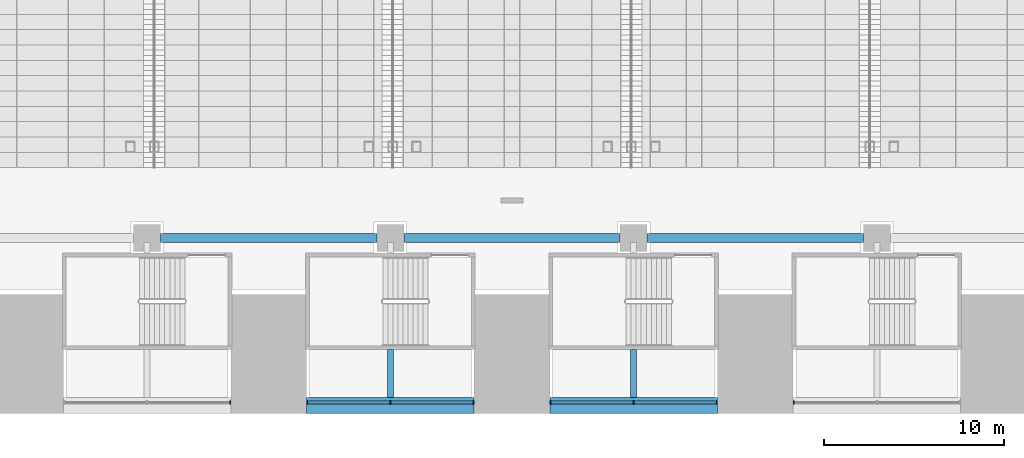
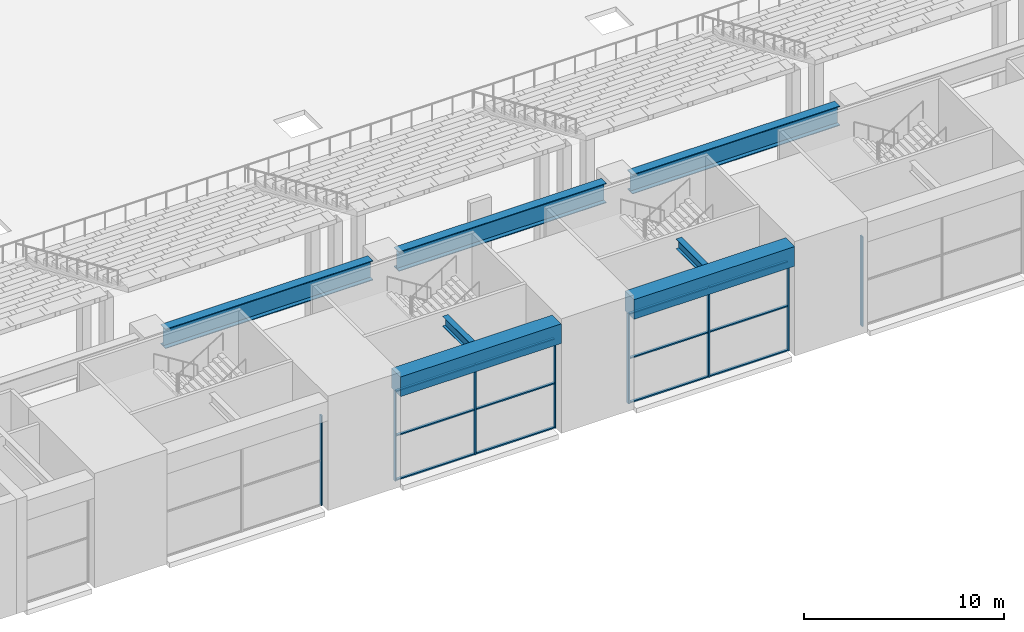
# One storey, part 6 of 62: 20 members, 7 beams, 4 elements without a shape of their own.
"""IFC4 building model written with IfcOpenShell, lengths in metres."""

from ifc_helpers import new_model, si_unit, direction, frame, origin, origin_2d, place, context, subcontext, project, spatial, rectangle, i_section, extrude, material, layer, layer_set, material_profile, profile_set, type_object, element, aggregate, save


model = new_model("IFC4")

# Units and contexts
model_context = context("Model", 3, precision=1e-05, world=origin(), true_north=direction((0.0, 1.0)))
body_context = subcontext(model_context, "Body", "Model", "MODEL_VIEW")
ifc_project = project(units=[si_unit("LENGTHUNIT", "METRE"), si_unit("AREAUNIT", "SQUARE_METRE"), si_unit("VOLUMEUNIT", "CUBIC_METRE"), si_unit("PLANEANGLEUNIT", "RADIAN"), si_unit("MASSUNIT", "GRAM", prefix="KILO")], contexts=[model_context])

# Site, building, storey
site_placement = place(None, origin())
site = spatial("IfcSite", under=ifc_project, at=site_placement, CompositionType="ELEMENT")
building_placement = place(site_placement, origin())
building = spatial("IfcBuilding", under=site, at=building_placement, Name="Corbelhall Arena Tower", CompositionType="ELEMENT")
storey_placement = place(building_placement, frame((0.0, 0.0, 12.0)))
storey = spatial("IfcBuildingStorey", under=building, at=storey_placement, Name="L01", CompositionType="ELEMENT", Elevation=12.0)

# Curtain wall, member
ifc_material_1 = material(Name="Aluminium black anodised", Category="aluminium")
ifc_layer = layer(ifc_material_1, 0.239990234375)
ifc_layer_set = layer_set([ifc_layer], Name="EV-CW4 Arena concourse glazing")
curtain_wall_type = type_object("IfcCurtainWallType", Name="EV-CW4 Arena concourse glazing", PredefinedType="NOTDEFINED", material=ifc_layer_set)
curtain_wall_1_placement = place(storey_placement, origin())
curtain_wall_1 = element("IfcCurtainWall", 1, at=curtain_wall_1_placement, inside=storey, type_object=curtain_wall_type, Name="Curtain wall CW4", PredefinedType="NOTDEFINED")
ifc_material_profile_1 = material_profile(ifc_material_1, rectangle(XDim=0.199951171875, YDim=0.074951171875, at=origin_2d()))
ifc_profile_set_1 = profile_set([ifc_material_profile_1], Name="Aluminium black anodised")
member_type_1 = type_object("IfcMemberType", Name="EV-CW4-MULLION", PredefinedType="MULLION", material=ifc_profile_set_1)
member_1_placement = place(storey_placement, frame((-15.637451171875, -38.3798828125, 0.0), z_axis=(0.0, 0.0, 1.0), x_axis=(0.0, 1.0, 0.0)))
member_1 = element("IfcMember", 2, at=member_1_placement, type_object=member_type_1, Name="CW4 mullion 3", PredefinedType="MULLION", context=body_context, shape_type="SweptSolid", body=[
    extrude(rectangle(XDim=0.199951171875, YDim=0.074951171875, at=origin_2d()), origin(), (0.0, 0.0, 1.0), 5.5),
])
aggregate(curtain_wall_1, [member_1])

# Curtain wall, members
curtain_wall_2_placement = place(storey_placement, origin())
curtain_wall_2 = element("IfcCurtainWall", 3, at=curtain_wall_2_placement, inside=storey, type_object=curtain_wall_type, Name="Curtain wall CW4", PredefinedType="NOTDEFINED")
member_2_placement = place(storey_placement, frame((-11.362548828125, -38.3798828125, 0.0), z_axis=(0.0, 0.0, 1.0), x_axis=(0.0, 1.0, 0.0)))
member_2 = element("IfcMember", 4, at=member_2_placement, type_object=member_type_1, Name="CW4 mullion 1", PredefinedType="MULLION", context=body_context, shape_type="SweptSolid", body=[
    extrude(rectangle(XDim=0.199951171875, YDim=0.074951171875, at=origin_2d()), origin(), (0.0, 0.0, 1.0), 5.5),
])
member_3_placement = place(storey_placement, frame((-6.75, -38.3798828125, 0.0), z_axis=(0.0, 0.0, 1.0), x_axis=(0.0, 1.0, 0.0)))
member_3 = element("IfcMember", 5, at=member_3_placement, type_object=member_type_1, Name="CW4 mullion 2", PredefinedType="MULLION", context=body_context, shape_type="SweptSolid", body=[
    extrude(rectangle(XDim=0.199951171875, YDim=0.074951171875, at=origin_2d()), origin(), (0.0, 0.0, 1.0), 5.5),
])
member_4_placement = place(storey_placement, frame((-2.137451171875, -38.3798828125, 0.0), z_axis=(0.0, 0.0, 1.0), x_axis=(0.0, 1.0, 0.0)))
member_4 = element("IfcMember", 6, at=member_4_placement, type_object=member_type_1, Name="CW4 mullion 3", PredefinedType="MULLION", context=body_context, shape_type="SweptSolid", body=[
    extrude(rectangle(XDim=0.199951171875, YDim=0.074951171875, at=origin_2d()), origin(), (0.0, 0.0, 1.0), 5.5),
])

curtain_wall_3_placement = place(storey_placement, origin())
curtain_wall_3 = element("IfcCurtainWall", 7, at=curtain_wall_3_placement, inside=storey, type_object=curtain_wall_type, Name="Curtain wall CW4", PredefinedType="NOTDEFINED")
member_5_placement = place(storey_placement, frame((2.137451171875, -38.3798828125, 0.0), z_axis=(0.0, 0.0, 1.0), x_axis=(0.0, 1.0, 0.0)))
member_5 = element("IfcMember", 8, at=member_5_placement, type_object=member_type_1, Name="CW4 mullion 1", PredefinedType="MULLION", context=body_context, shape_type="SweptSolid", body=[
    extrude(rectangle(XDim=0.199951171875, YDim=0.074951171875, at=origin_2d()), origin(), (0.0, 0.0, 1.0), 5.5),
])
member_6_placement = place(storey_placement, frame((6.75, -38.3798828125, 0.0), z_axis=(0.0, 0.0, 1.0), x_axis=(0.0, 1.0, 0.0)))
member_6 = element("IfcMember", 9, at=member_6_placement, type_object=member_type_1, Name="CW4 mullion 2", PredefinedType="MULLION", context=body_context, shape_type="SweptSolid", body=[
    extrude(rectangle(XDim=0.199951171875, YDim=0.074951171875, at=origin_2d()), origin(), (0.0, 0.0, 1.0), 5.5),
])
member_7_placement = place(storey_placement, frame((11.362548828125, -38.3798828125, 0.0), z_axis=(0.0, 0.0, 1.0), x_axis=(0.0, 1.0, 0.0)))
member_7 = element("IfcMember", 10, at=member_7_placement, type_object=member_type_1, Name="CW4 mullion 3", PredefinedType="MULLION", context=body_context, shape_type="SweptSolid", body=[
    extrude(rectangle(XDim=0.199951171875, YDim=0.074951171875, at=origin_2d()), origin(), (0.0, 0.0, 1.0), 5.5),
])

# Curtain wall, member
curtain_wall_4_placement = place(storey_placement, origin())
curtain_wall_4 = element("IfcCurtainWall", 11, at=curtain_wall_4_placement, inside=storey, type_object=curtain_wall_type, Name="Curtain wall CW4", PredefinedType="NOTDEFINED")
member_8_placement = place(storey_placement, frame((15.637451171875, -38.3798828125, 0.0), z_axis=(0.0, 0.0, 1.0), x_axis=(0.0, 1.0, 0.0)))
member_8 = element("IfcMember", 12, at=member_8_placement, type_object=member_type_1, Name="CW4 mullion 1", PredefinedType="MULLION", context=body_context, shape_type="SweptSolid", body=[
    extrude(rectangle(XDim=0.199951171875, YDim=0.074951171875, at=origin_2d()), origin(), (0.0, 0.0, 1.0), 5.5),
])
aggregate(curtain_wall_4, [member_8])

# Member
ifc_material_profile_2 = material_profile(ifc_material_1, rectangle(XDim=0.14990234375, YDim=0.074951171875, at=origin_2d()))
ifc_profile_set_2 = profile_set([ifc_material_profile_2], Name="Aluminium black anodised")
member_type_2 = type_object("IfcMemberType", Name="EV-CW4-TRANSOM", PredefinedType="USERDEFINED", material=ifc_profile_set_2)
member_9_placement = place(storey_placement, frame((-11.324951171875, -38.3798828125, 0.03759765625), z_axis=(1.0, 0.0, 0.0), x_axis=(0.0, 1.0, 0.0)))
member_9 = element("IfcMember", 13, at=member_9_placement, type_object=member_type_2, Name="CW4 transom 1.1", ObjectType="transom", PredefinedType="USERDEFINED", context=body_context, shape_type="SweptSolid", body=[
    extrude(rectangle(XDim=0.14990234375, YDim=0.074951171875, at=origin_2d()), origin(), (0.0, 0.0, 1.0), 4.537353515625),
])

member_10_placement = place(storey_placement, frame((-11.324951171875, -38.3798828125, 2.75), z_axis=(1.0, 0.0, 0.0), x_axis=(0.0, 1.0, 0.0)))
member_10 = element("IfcMember", 14, at=member_10_placement, type_object=member_type_2, Name="CW4 transom 1.2", ObjectType="transom", PredefinedType="USERDEFINED", context=body_context, shape_type="SweptSolid", body=[
    extrude(rectangle(XDim=0.14990234375, YDim=0.074951171875, at=origin_2d()), origin(), (0.0, 0.0, 1.0), 4.537353515625),
])

member_11_placement = place(storey_placement, frame((-11.324951171875, -38.3798828125, 5.46240234375), z_axis=(1.0, 0.0, 0.0), x_axis=(0.0, 1.0, 0.0)))
member_11 = element("IfcMember", 15, at=member_11_placement, type_object=member_type_2, Name="CW4 transom 1.3", ObjectType="transom", PredefinedType="USERDEFINED", context=body_context, shape_type="SweptSolid", body=[
    extrude(rectangle(XDim=0.14990234375, YDim=0.074951171875, at=origin_2d()), origin(), (0.0, 0.0, 1.0), 4.537353515625),
])

member_12_placement = place(storey_placement, frame((-6.71240234375, -38.3798828125, 0.03759765625), z_axis=(1.0, 0.0, 0.0), x_axis=(0.0, 1.0, 0.0)))
member_12 = element("IfcMember", 16, at=member_12_placement, type_object=member_type_2, Name="CW4 transom 2.1", ObjectType="transom", PredefinedType="USERDEFINED", context=body_context, shape_type="SweptSolid", body=[
    extrude(rectangle(XDim=0.14990234375, YDim=0.074951171875, at=origin_2d()), origin(), (0.0, 0.0, 1.0), 4.537353515625),
])

member_13_placement = place(storey_placement, frame((-6.71240234375, -38.3798828125, 2.75), z_axis=(1.0, 0.0, 0.0), x_axis=(0.0, 1.0, 0.0)))
member_13 = element("IfcMember", 17, at=member_13_placement, type_object=member_type_2, Name="CW4 transom 2.2", ObjectType="transom", PredefinedType="USERDEFINED", context=body_context, shape_type="SweptSolid", body=[
    extrude(rectangle(XDim=0.14990234375, YDim=0.074951171875, at=origin_2d()), origin(), (0.0, 0.0, 1.0), 4.537353515625),
])

member_14_placement = place(storey_placement, frame((-6.71240234375, -38.3798828125, 5.46240234375), z_axis=(1.0, 0.0, 0.0), x_axis=(0.0, 1.0, 0.0)))
member_14 = element("IfcMember", 18, at=member_14_placement, type_object=member_type_2, Name="CW4 transom 2.3", ObjectType="transom", PredefinedType="USERDEFINED", context=body_context, shape_type="SweptSolid", body=[
    extrude(rectangle(XDim=0.14990234375, YDim=0.074951171875, at=origin_2d()), origin(), (0.0, 0.0, 1.0), 4.537353515625),
])

aggregate(curtain_wall_2, [member_2, member_3, member_4, member_9, member_10, member_11, member_12, member_13, member_14])

member_15_placement = place(storey_placement, frame((2.175048828125, -38.3798828125, 0.03759765625), z_axis=(1.0, 0.0, 0.0), x_axis=(0.0, 1.0, 0.0)))
member_15 = element("IfcMember", 19, at=member_15_placement, type_object=member_type_2, Name="CW4 transom 1.1", ObjectType="transom", PredefinedType="USERDEFINED", context=body_context, shape_type="SweptSolid", body=[
    extrude(rectangle(XDim=0.14990234375, YDim=0.074951171875, at=origin_2d()), origin(), (0.0, 0.0, 1.0), 4.537353515625),
])

member_16_placement = place(storey_placement, frame((2.175048828125, -38.3798828125, 2.75), z_axis=(1.0, 0.0, 0.0), x_axis=(0.0, 1.0, 0.0)))
member_16 = element("IfcMember", 20, at=member_16_placement, type_object=member_type_2, Name="CW4 transom 1.2", ObjectType="transom", PredefinedType="USERDEFINED", context=body_context, shape_type="SweptSolid", body=[
    extrude(rectangle(XDim=0.14990234375, YDim=0.074951171875, at=origin_2d()), origin(), (0.0, 0.0, 1.0), 4.537353515625),
])

member_17_placement = place(storey_placement, frame((2.175048828125, -38.3798828125, 5.46240234375), z_axis=(1.0, 0.0, 0.0), x_axis=(0.0, 1.0, 0.0)))
member_17 = element("IfcMember", 21, at=member_17_placement, type_object=member_type_2, Name="CW4 transom 1.3", ObjectType="transom", PredefinedType="USERDEFINED", context=body_context, shape_type="SweptSolid", body=[
    extrude(rectangle(XDim=0.14990234375, YDim=0.074951171875, at=origin_2d()), origin(), (0.0, 0.0, 1.0), 4.537353515625),
])

member_18_placement = place(storey_placement, frame((6.78759765625, -38.3798828125, 0.03759765625), z_axis=(1.0, 0.0, 0.0), x_axis=(0.0, 1.0, 0.0)))
member_18 = element("IfcMember", 22, at=member_18_placement, type_object=member_type_2, Name="CW4 transom 2.1", ObjectType="transom", PredefinedType="USERDEFINED", context=body_context, shape_type="SweptSolid", body=[
    extrude(rectangle(XDim=0.14990234375, YDim=0.074951171875, at=origin_2d()), origin(), (0.0, 0.0, 1.0), 4.537353515625),
])

member_19_placement = place(storey_placement, frame((6.78759765625, -38.3798828125, 2.75), z_axis=(1.0, 0.0, 0.0), x_axis=(0.0, 1.0, 0.0)))
member_19 = element("IfcMember", 23, at=member_19_placement, type_object=member_type_2, Name="CW4 transom 2.2", ObjectType="transom", PredefinedType="USERDEFINED", context=body_context, shape_type="SweptSolid", body=[
    extrude(rectangle(XDim=0.14990234375, YDim=0.074951171875, at=origin_2d()), origin(), (0.0, 0.0, 1.0), 4.537353515625),
])

member_20_placement = place(storey_placement, frame((6.78759765625, -38.3798828125, 5.46240234375), z_axis=(1.0, 0.0, 0.0), x_axis=(0.0, 1.0, 0.0)))
member_20 = element("IfcMember", 24, at=member_20_placement, type_object=member_type_2, Name="CW4 transom 2.3", ObjectType="transom", PredefinedType="USERDEFINED", context=body_context, shape_type="SweptSolid", body=[
    extrude(rectangle(XDim=0.14990234375, YDim=0.074951171875, at=origin_2d()), origin(), (0.0, 0.0, 1.0), 4.537353515625),
])

aggregate(curtain_wall_3, [member_5, member_6, member_7, member_15, member_16, member_17, member_18, member_19, member_20])

# Beams
ifc_material_2 = material(Name="Steel ASTM A992 Gr50", Category="steel")
ifc_material_profile_3 = material_profile(ifc_material_2, i_section(OverallWidth=0.323974609375, OverallDepth=0.611083984375, WebThickness=0.0126953125, FlangeThickness=0.01904296875, at=origin_2d()))
ifc_profile_set_3 = profile_set([ifc_material_profile_3], Name="Steel ASTM A992 Gr50")
beam_type_1 = type_object("IfcBeamType", Name="PO-BEAM-W24X104", PredefinedType="BEAM", material=ifc_profile_set_3)
for number, where, z_axis, x_axis, name in (
    (25, (-6.75, -35.449951171875, 6.39453125), (0.0, -1.0, 0.0), (1.0, 0.0, 0.0), "CONCOURSE BEAM"),
    (26, (6.75, -35.449951171875, 6.39453125), (0.0, -1.0, 0.0), (1.0, 0.0, 0.0), "CONCOURSE BEAM"),
):
    element("IfcBeam", number, at=place(storey_placement, frame(where, z_axis=z_axis, x_axis=x_axis)), inside=storey, type_object=beam_type_1, Name=name, PredefinedType="BEAM", context=body_context, shape_type="SweptSolid", body=[
        extrude(i_section(OverallWidth=0.323974609375, OverallDepth=0.611083984375, WebThickness=0.0126953125, FlangeThickness=0.01904296875, at=origin_2d()), origin(), (0.0, 0.0, 1.0), 2.650146484375),
    ])
ifc_material_3 = material(Name="Steel ASTM A572 Gr50", Category="steel")
ifc_material_profile_4 = material_profile(ifc_material_3, i_section(OverallWidth=0.5, OverallDepth=1.199951171875, WebThickness=0.02490234375, FlangeThickness=0.044921875, at=origin_2d()))
ifc_profile_set_4 = profile_set([ifc_material_profile_4], Name="Steel ASTM A572 Gr50")
beam_type_2 = type_object("IfcBeamType", Name="PO-GIRDER-PG1200X500X25X45", PredefinedType="BEAM", material=ifc_profile_set_4)
for number, where, z_axis, x_axis, name in (
    (27, (-19.5, -29.25, 6.10009765625), (1.0, 0.0, 0.0), (0.0, 1.0, 0.0), "RING GIRDER"),
    (28, (-6.0, -29.25, 6.10009765625), (1.0, 0.0, 0.0), (0.0, 1.0, 0.0), "RING GIRDER"),
    (29, (7.5, -29.25, 6.10009765625), (1.0, 0.0, 0.0), (0.0, 1.0, 0.0), "RING GIRDER"),
):
    element("IfcBeam", number, at=place(storey_placement, frame(where, z_axis=z_axis, x_axis=x_axis)), inside=storey, type_object=beam_type_2, Name=name, PredefinedType="BEAM", context=body_context, shape_type="SweptSolid", body=[
        extrude(i_section(OverallWidth=0.5, OverallDepth=1.199951171875, WebThickness=0.02490234375, FlangeThickness=0.044921875, at=origin_2d()), origin(), (0.0, 0.0, 1.0), 12.0),
    ])
ifc_material_4 = material(Name="Concrete C80/95", Category="concrete")
ifc_material_profile_5 = material_profile(ifc_material_4, rectangle(XDim=0.89990234375, YDim=1.199951171875, at=origin_2d()))
ifc_profile_set_5 = profile_set([ifc_material_profile_5], Name="Concrete C80/95")
beam_type_3 = type_object("IfcBeamType", Name="PO-RING-BEAM", PredefinedType="BEAM", material=ifc_profile_set_5)
for number, where, z_axis, x_axis, name in (
    (30, (-11.39990234375, -38.550048828125, 6.10009765625), (1.0, 0.0, 0.0), (0.0, 1.0, 0.0), "RING GIRDER L02 S3"),
    (31, (2.10009765625, -38.550048828125, 6.10009765625), (1.0, 0.0, 0.0), (0.0, 1.0, 0.0), "RING GIRDER L02 S4"),
):
    element("IfcBeam", number, at=place(storey_placement, frame(where, z_axis=z_axis, x_axis=x_axis)), inside=storey, type_object=beam_type_3, Name=name, PredefinedType="BEAM", context=body_context, shape_type="SweptSolid", body=[
        extrude(rectangle(XDim=0.89990234375, YDim=1.199951171875, at=origin_2d()), origin(), (0.0, 0.0, 1.0), 9.2998046875),
    ])

save(model, "model.ifc")
